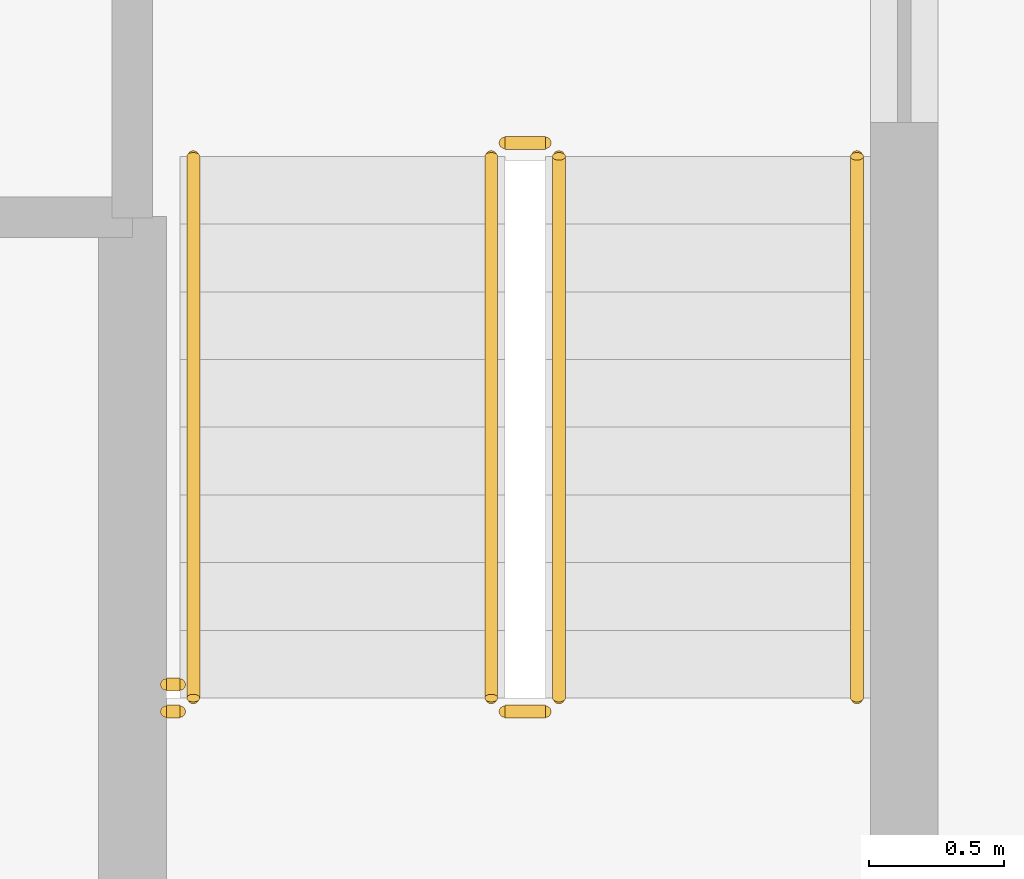
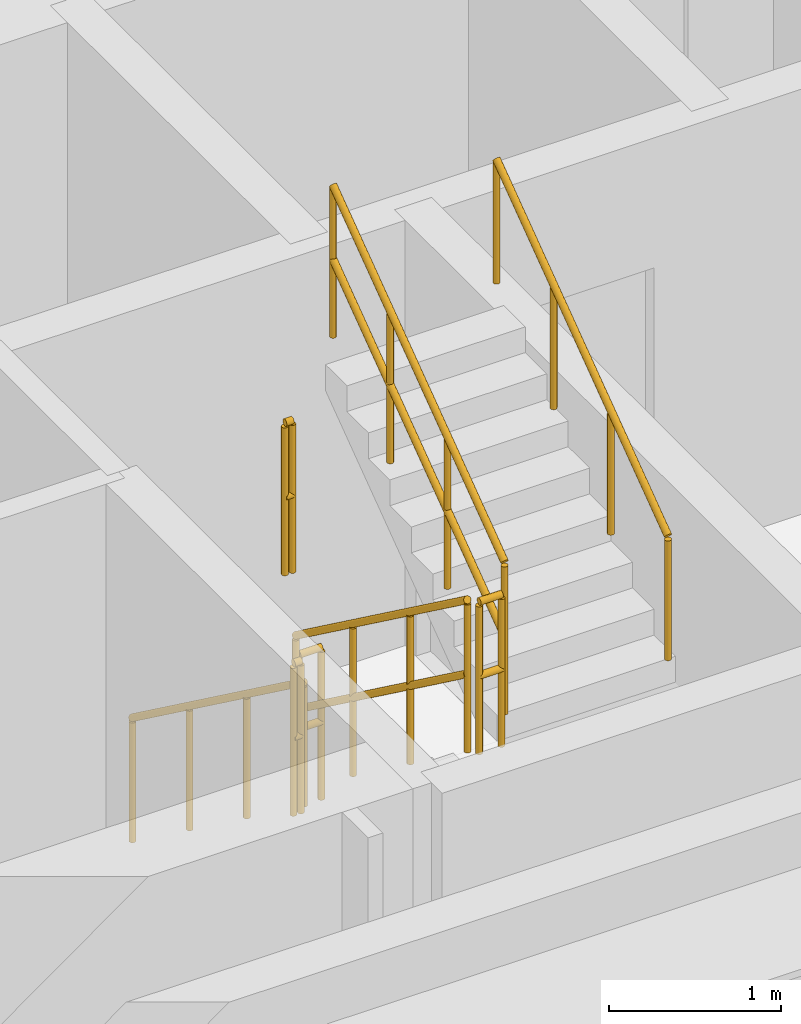
# One storey, part 13 of 15: 8 railings.
"""IFC4 building model written with IfcOpenShell, lengths in metres."""

from ifc_helpers import new_model, si_unit, direction, frame, origin, origin_2d, place, context, subcontext, project, spatial, circle, extrude, material, type_object, element, save


model = new_model("IFC4")

# Units and contexts
model_context = context("Model", 3, precision=1e-05, world=origin(), true_north=direction((0.0, 1.0)))
body_context = subcontext(model_context, "Body", "Model", "MODEL_VIEW")
ifc_project = project(units=[si_unit("LENGTHUNIT", "METRE"), si_unit("AREAUNIT", "SQUARE_METRE"), si_unit("VOLUMEUNIT", "CUBIC_METRE"), si_unit("PLANEANGLEUNIT", "RADIAN"), si_unit("MASSUNIT", "GRAM", prefix="KILO")], contexts=[model_context])

# Site, building, storey
site_placement = place(None, origin())
site = spatial("IfcSite", under=ifc_project, at=site_placement, CompositionType="ELEMENT")
building_placement = place(site_placement, origin())
building = spatial("IfcBuilding", under=site, at=building_placement, Name="Nakaniwa Court", CompositionType="ELEMENT")
storey_placement = place(building_placement, frame((0.0, 0.0, 213.0)))
storey = spatial("IfcBuildingStorey", under=building, at=storey_placement, Name="L56", CompositionType="ELEMENT", Elevation=213.0)

# Railings
ifc_material_1 = material(Name="Black powder coated steel guard", Category="steel")
railing_type_1 = type_object("IfcRailingType", Name="Stair guard 1100", PredefinedType="GUARDRAIL", material=ifc_material_1)
railing_1_placement = place(storey_placement, frame((81.875, 61.824951171875, 0.183349609375)))
element("IfcRailing", 1, at=railing_1_placement, inside=storey, type_object=railing_type_1, Name="L56 ST4 stair guard 1", PredefinedType="GUARDRAIL", context=body_context, shape_type="SweptSolid", body=[
    extrude(circle(Radius=0.02392578125, at=origin_2d()), frame((0.0, 0.0, 1.076171875), z_axis=(0.0, -0.806426902644, 0.591333789573), x_axis=(1.0, 0.0, 0.0)), (0.0, 0.0, 1.0), 2.47998046875),
    extrude(circle(Radius=0.02392578125, at=origin_2d()), frame((0.0, 0.0, 0.550048828125), z_axis=(0.0, -0.806426902644, 0.591333789573), x_axis=(1.0, 0.0, 0.0)), (0.0, 0.0, 1.0), 2.47998046875),
    extrude(circle(Radius=0.02099609375, at=origin_2d()), origin(), (0.0, 0.0, 1.0), 1.052001953125),
    extrude(circle(Radius=0.02099609375, at=origin_2d()), frame((0.0, -0.666748046875, 0.48876953125)), (0.0, 0.0, 1.0), 1.052001953125),
    extrude(circle(Radius=0.02099609375, at=origin_2d()), frame((0.0, -1.333251953125, 0.977783203125)), (0.0, 0.0, 1.0), 1.052001953125),
    extrude(circle(Radius=0.02099609375, at=origin_2d()), frame((0.0, -2.0, 1.466552734375)), (0.0, 0.0, 1.0), 1.052001953125),
])
railing_2_placement = place(storey_placement, frame((81.925048828125, 59.77490234375, 1.64990234375)))
element("IfcRailing", 2, at=railing_2_placement, inside=storey, type_object=railing_type_1, Name="L56 ST4 stair guard 2", PredefinedType="GUARDRAIL", context=body_context, shape_type="SweptSolid", body=[
    extrude(circle(Radius=0.02392578125, at=origin_2d()), frame((0.0, 0.0, 1.076171875), z_axis=(1.0, 0.0, 0.0), x_axis=(0.0, 1.0, 0.0)), (0.0, 0.0, 1.0), 0.14990234375),
    extrude(circle(Radius=0.02392578125, at=origin_2d()), frame((0.0, 0.0, 0.550048828125), z_axis=(1.0, 0.0, 0.0), x_axis=(0.0, 1.0, 0.0)), (0.0, 0.0, 1.0), 0.14990234375),
    extrude(circle(Radius=0.02099609375, at=origin_2d()), origin(), (0.0, 0.0, 1.0), 1.052001953125),
    extrude(circle(Radius=0.02099609375, at=origin_2d()), frame((0.14990234375, 0.0, 0.0)), (0.0, 0.0, 1.0), 1.052001953125),
])
railing_3_placement = place(storey_placement, frame((82.125, 59.824951171875, 1.833251953125)))
element("IfcRailing", 3, at=railing_3_placement, inside=storey, type_object=railing_type_1, Name="L56 ST4 stair guard 3", PredefinedType="GUARDRAIL", context=body_context, shape_type="SweptSolid", body=[
    extrude(circle(Radius=0.02392578125, at=origin_2d()), frame((0.0, 0.0, 1.076171875), z_axis=(0.0, 0.806379959628, 0.591397802423), x_axis=(-1.0, 0.0, 0.0)), (0.0, 0.0, 1.0), 2.480224609375),
    extrude(circle(Radius=0.02392578125, at=origin_2d()), frame((0.0, 0.0, 0.550048828125), z_axis=(0.0, 0.806379959628, 0.591397802423), x_axis=(-1.0, 0.0, 0.0)), (0.0, 0.0, 1.0), 2.480224609375),
    extrude(circle(Radius=0.02099609375, at=origin_2d()), origin(), (0.0, 0.0, 1.0), 1.052001953125),
    extrude(circle(Radius=0.02099609375, at=origin_2d()), frame((0.0, 0.666748046875, 0.489013671875)), (0.0, 0.0, 1.0), 1.052001953125),
    extrude(circle(Radius=0.02099609375, at=origin_2d()), frame((0.0, 1.333251953125, 0.977783203125)), (0.0, 0.0, 1.0), 1.052001953125),
    extrude(circle(Radius=0.02099609375, at=origin_2d()), frame((0.0, 2.0, 1.466796875)), (0.0, 0.0, 1.0), 1.052001953125),
])
railing_4_placement = place(storey_placement, frame((81.925048828125, 61.875, 0.0)))
element("IfcRailing", 4, at=railing_4_placement, inside=storey, type_object=railing_type_1, Name="L56 ST4 stair guard 4", PredefinedType="GUARDRAIL", context=body_context, shape_type="SweptSolid", body=[
    extrude(circle(Radius=0.02392578125, at=origin_2d()), frame((0.0, 0.0, 1.076171875), z_axis=(1.0, 0.0, 0.0), x_axis=(0.0, 1.0, 0.0)), (0.0, 0.0, 1.0), 0.14990234375),
    extrude(circle(Radius=0.02392578125, at=origin_2d()), frame((0.0, 0.0, 0.550048828125), z_axis=(1.0, 0.0, 0.0), x_axis=(0.0, 1.0, 0.0)), (0.0, 0.0, 1.0), 0.14990234375),
    extrude(circle(Radius=0.02099609375, at=origin_2d()), origin(), (0.0, 0.0, 1.0), 1.052001953125),
    extrude(circle(Radius=0.02099609375, at=origin_2d()), frame((0.14990234375, 0.0, 0.0)), (0.0, 0.0, 1.0), 1.052001953125),
])
for number, where, name in (
    (5, (80.675048828125, 59.77490234375, 1.64990234375), "L56 ST4 landing side guard 1W"),
    (6, (80.675048828125, 59.875, 3.300048828125), "L56 ST4 floor edge guard 1W"),
):
    element("IfcRailing", number, at=place(storey_placement, frame(where)), inside=storey, type_object=railing_type_1, Name=name, PredefinedType="GUARDRAIL", context=body_context, shape_type="SweptSolid", body=[
        extrude(circle(Radius=0.02392578125, at=origin_2d()), frame((0.0, 0.0, 1.076171875), z_axis=(1.0, 0.0, 0.0), x_axis=(0.0, 1.0, 0.0)), (0.0, 0.0, 1.0), 0.050048828125),
        extrude(circle(Radius=0.02392578125, at=origin_2d()), frame((0.0, 0.0, 0.550048828125), z_axis=(1.0, 0.0, 0.0), x_axis=(0.0, 1.0, 0.0)), (0.0, 0.0, 1.0), 0.050048828125),
        extrude(circle(Radius=0.02099609375, at=origin_2d()), origin(), (0.0, 0.0, 1.0), 1.052001953125),
        extrude(circle(Radius=0.02099609375, at=origin_2d()), frame((0.050048828125, 0.0, 0.0)), (0.0, 0.0, 1.0), 1.052001953125),
    ])
ifc_material_2 = material(Name="Black powder coated steel handrail", Category="steel")
railing_type_2 = type_object("IfcRailingType", Name="Stair handrail 900", PredefinedType="HANDRAIL", material=ifc_material_2)
railing_5_placement = place(storey_placement, frame((80.77490234375, 61.824951171875, 0.183349609375)))
element("IfcRailing", 7, at=railing_5_placement, inside=storey, type_object=railing_type_2, Name="L56 ST4 stair handrail 1", PredefinedType="HANDRAIL", context=body_context, shape_type="SweptSolid", body=[
    extrude(circle(Radius=0.02392578125, at=origin_2d()), frame((0.0, 0.0, 0.8759765625), z_axis=(0.0, -0.806426902644, 0.591333789573), x_axis=(1.0, 0.0, 0.0)), (0.0, 0.0, 1.0), 2.47998046875),
    extrude(circle(Radius=0.02099609375, at=origin_2d()), origin(), (0.0, 0.0, 1.0), 0.851806640625),
    extrude(circle(Radius=0.02099609375, at=origin_2d()), frame((0.0, -0.666748046875, 0.48876953125)), (0.0, 0.0, 1.0), 0.851806640625),
    extrude(circle(Radius=0.02099609375, at=origin_2d()), frame((0.0, -1.333251953125, 0.977783203125)), (0.0, 0.0, 1.0), 0.851806640625),
    extrude(circle(Radius=0.02099609375, at=origin_2d()), frame((0.0, -2.0, 1.466552734375)), (0.0, 0.0, 1.0), 0.851806640625),
])
railing_6_placement = place(storey_placement, frame((83.22509765625, 59.824951171875, 1.833251953125)))
element("IfcRailing", 8, at=railing_6_placement, inside=storey, type_object=railing_type_2, Name="L56 ST4 stair handrail 2", PredefinedType="HANDRAIL", context=body_context, shape_type="SweptSolid", body=[
    extrude(circle(Radius=0.02392578125, at=origin_2d()), frame((0.0, 0.0, 0.8759765625), z_axis=(0.0, 0.806379959628, 0.591397802423), x_axis=(-1.0, 0.0, 0.0)), (0.0, 0.0, 1.0), 2.480224609375),
    extrude(circle(Radius=0.02099609375, at=origin_2d()), origin(), (0.0, 0.0, 1.0), 0.851806640625),
    extrude(circle(Radius=0.02099609375, at=origin_2d()), frame((0.0, 0.666748046875, 0.489013671875)), (0.0, 0.0, 1.0), 0.851806640625),
    extrude(circle(Radius=0.02099609375, at=origin_2d()), frame((0.0, 1.333251953125, 0.977783203125)), (0.0, 0.0, 1.0), 0.851806640625),
    extrude(circle(Radius=0.02099609375, at=origin_2d()), frame((0.0, 2.0, 1.466796875)), (0.0, 0.0, 1.0), 0.851806640625),
])

save(model, "model.ifc")
